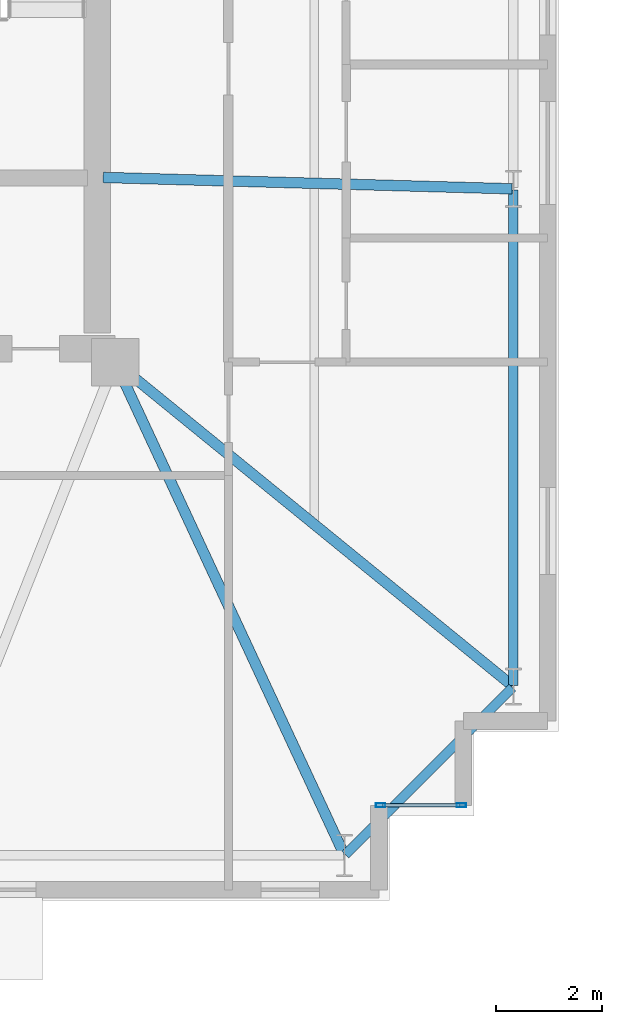
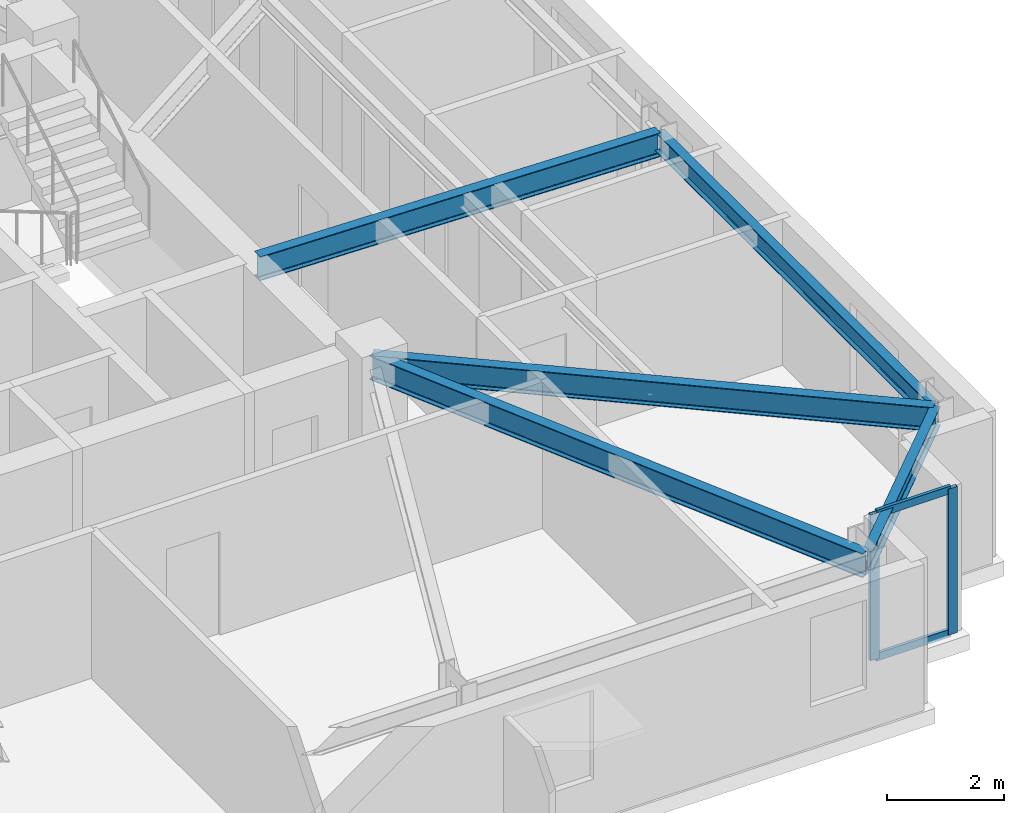
# One storey, part 5 of 18: 5 beams, 4 members, 1 element without a shape of its own.
"""IFC4 building model written with IfcOpenShell, lengths in metres."""

from ifc_helpers import new_model, si_unit, direction, frame, origin, origin_2d, place, context, subcontext, project, spatial, hollow_rectangle, i_section, extrude, material, layer, layer_set, material_profile, profile_set, type_object, element, aggregate, save


model = new_model("IFC4")

# Units and contexts
model_context = context("Model", 3, precision=1e-05, world=origin(), true_north=direction((0.0, 1.0)))
body_context = subcontext(model_context, "Body", "Model", "MODEL_VIEW")
ifc_project = project(units=[si_unit("LENGTHUNIT", "METRE"), si_unit("AREAUNIT", "SQUARE_METRE"), si_unit("VOLUMEUNIT", "CUBIC_METRE"), si_unit("PLANEANGLEUNIT", "RADIAN"), si_unit("MASSUNIT", "GRAM", prefix="KILO")], contexts=[model_context])

# Site, building, storey
site_placement = place(None, origin())
site = spatial("IfcSite", under=ifc_project, at=site_placement, CompositionType="ELEMENT")
building_placement = place(site_placement, origin())
building = spatial("IfcBuilding", under=site, at=building_placement, Name="Qobustan Lattice House", CompositionType="ELEMENT")
storey_placement = place(building_placement, frame((0.0, 0.0, 141.050048828125)))
storey = spatial("IfcBuildingStorey", under=building, at=storey_placement, Name="L39", CompositionType="ELEMENT", Elevation=141.050048828125)

# Beams
ifc_material_1 = material(Name="Steel S355", Category="steel")
ifc_material_profile_1 = material_profile(ifc_material_1, i_section(OverallWidth=0.199951171875, OverallDepth=0.5, WebThickness=0.01025390625, FlangeThickness=0.01611328125, FilletRadius=0.02099609375, at=origin_2d()), Name="IPE500")
ifc_profile_set_1 = profile_set([ifc_material_profile_1], Name="Steel S355")
beam_type_1 = type_object("IfcBeamType", Name="BM-FLG-IPE500", PredefinedType="USERDEFINED", material=ifc_profile_set_1)
beam_1_placement = place(storey_placement, frame((23.139404296875, -14.92724609375, 2.7900390625), z_axis=(-0.421827633168, 0.906676043521, 0.0), x_axis=(-0.906676043521, -0.421827633168, 0.0)))
element("IfcBeam", 1, at=beam_1_placement, inside=storey, type_object=beam_type_1, Name="L39 primary floor girder RAD-S7E", ObjectType="GIRDER", PredefinedType="USERDEFINED", context=body_context, shape_type="SweptSolid", body=[
    extrude(i_section(OverallWidth=0.199951171875, OverallDepth=0.5, WebThickness=0.01025390625, FlangeThickness=0.01611328125, FilletRadius=0.02099609375, at=origin_2d()), origin(), (0.0, 0.0, 1.0), 10.26220703125),
])
beam_2_placement = place(storey_placement, frame((26.324951171875, -2.31591796875, 2.7900390625), z_axis=(-0.999614226396, 0.027774059592, 0.0), x_axis=(-0.027774059592, -0.999614226396, 0.0)))
element("IfcBeam", 2, at=beam_2_placement, inside=storey, type_object=beam_type_1, Name="L39 primary floor girder RAD-E2", ObjectType="GIRDER", PredefinedType="USERDEFINED", context=body_context, shape_type="SweptSolid", body=[
    extrude(i_section(OverallWidth=0.199951171875, OverallDepth=0.5, WebThickness=0.01025390625, FlangeThickness=0.01611328125, FilletRadius=0.02099609375, at=origin_2d()), origin(), (0.0, 0.0, 1.0), 7.7529296875),
])
beam_3_placement = place(storey_placement, frame((26.33056640625, -11.734130859375, 2.7900390625), z_axis=(-0.775328675038, 0.631557951152, 0.0), x_axis=(-0.631557951152, -0.775328675038, 0.0)))
element("IfcBeam", 3, at=beam_3_placement, inside=storey, type_object=beam_type_1, Name="L39 primary floor girder RAD-E1", ObjectType="GIRDER", PredefinedType="USERDEFINED", context=body_context, shape_type="SweptSolid", body=[
    extrude(i_section(OverallWidth=0.199951171875, OverallDepth=0.5, WebThickness=0.01025390625, FlangeThickness=0.01611328125, FilletRadius=0.02099609375, at=origin_2d()), origin(), (0.0, 0.0, 1.0), 9.687744140625),
])
ifc_material_2 = material(Name="Steel S355", Category="steel")
ifc_material_profile_2 = material_profile(ifc_material_2, i_section(OverallWidth=0.179931640625, OverallDepth=0.39990234375, WebThickness=0.008544921875, FlangeThickness=0.013427734375, FilletRadius=0.02099609375, at=origin_2d()), Name="IPE400")
ifc_profile_set_2 = profile_set([ifc_material_profile_2], Name="Steel S355")
beam_type_2 = type_object("IfcBeamType", Name="BM-SPD-IPE400", PredefinedType="SPANDREL", material=ifc_profile_set_2)
beam_4_placement = place(storey_placement, frame((23.167724609375, -14.932373046875, 2.83984375), z_axis=(0.707079505568, 0.707134055753, 0.0), x_axis=(-0.707134055753, 0.707079505568, 0.0)))
element("IfcBeam", 4, at=beam_4_placement, inside=storey, type_object=beam_type_2, Name="L39 perimeter spandrel S7-E1", PredefinedType="SPANDREL", context=body_context, shape_type="SweptSolid", body=[
    extrude(i_section(OverallWidth=0.179931640625, OverallDepth=0.39990234375, WebThickness=0.008544921875, FlangeThickness=0.013427734375, FilletRadius=0.02099609375, at=origin_2d()), origin(), (0.0, 0.0, 1.0), 4.4755859375),
])
beam_5_placement = place(storey_placement, frame((26.35009765625, -11.72509765625, 2.83984375), z_axis=(0.0, 1.0, 0.0), x_axis=(-1.0, 0.0, 0.0)))
element("IfcBeam", 5, at=beam_5_placement, inside=storey, type_object=beam_type_2, Name="L39 perimeter spandrel E1-E2", PredefinedType="SPANDREL", context=body_context, shape_type="SweptSolid", body=[
    extrude(i_section(OverallWidth=0.179931640625, OverallDepth=0.39990234375, WebThickness=0.008544921875, FlangeThickness=0.013427734375, FilletRadius=0.02099609375, at=origin_2d()), origin(), (0.0, 0.0, 1.0), 9.38330078125),
])

# Curtain wall, members
ifc_material_3 = material(Name="Anodised aluminium and low-E glazing", Category="aluminium")
ifc_layer = layer(ifc_material_3, 0.219970703125)
ifc_layer_set = layer_set([ifc_layer], Name="Anodised aluminium and low-E glazing")
curtain_wall_type = type_object("IfcCurtainWallType", Name="CW-FAC-02", PredefinedType="USERDEFINED", material=ifc_layer_set)
curtain_wall_placement = place(storey_placement, origin())
curtain_wall = element("IfcCurtainWall", 6, at=curtain_wall_placement, inside=storey, type_object=curtain_wall_type, Name="L39 serrated corner faceted glazing 18", ObjectType="CURTAIN WALL", PredefinedType="USERDEFINED")
ifc_material_4 = material(Name="Anodised aluminium EN AW-6063 T6", Category="aluminium")
ifc_material_profile_3 = material_profile(ifc_material_4, hollow_rectangle(XDim=0.070068359375, YDim=0.179931640625, WallThickness=0.00439453125, at=origin_2d()), Name="CWM-180x70")
ifc_profile_set_3 = profile_set([ifc_material_profile_3], Name="Anodised aluminium EN AW-6063 T6")
member_type_1 = type_object("IfcMemberType", Name="CWM-STD-180", PredefinedType="MULLION", material=ifc_profile_set_3)
member_1_placement = place(storey_placement, frame((25.364990234375, -14.0, 0.0), z_axis=(0.0, 0.0, 1.0), x_axis=(0.0, -1.0, 0.0)))
member_1 = element("IfcMember", 7, at=member_1_placement, type_object=member_type_1, Name="CW-F2 mullion 1", PredefinedType="MULLION", context=body_context, shape_type="SweptSolid", body=[
    extrude(hollow_rectangle(XDim=0.070068359375, YDim=0.179931640625, WallThickness=0.00439453125, at=origin_2d()), origin(), (0.0, 0.0, 1.0), 3.0400390625),
])
member_2_placement = place(storey_placement, frame((23.8349609375, -14.0, 0.0), z_axis=(0.0, 0.0, 1.0), x_axis=(0.0, -1.0, 0.0)))
member_2 = element("IfcMember", 8, at=member_2_placement, type_object=member_type_1, Name="CW-F2 mullion 2", PredefinedType="MULLION", context=body_context, shape_type="SweptSolid", body=[
    extrude(hollow_rectangle(XDim=0.070068359375, YDim=0.179931640625, WallThickness=0.00439453125, at=origin_2d()), origin(), (0.0, 0.0, 1.0), 3.0400390625),
])
ifc_material_5 = material(Name="Anodised aluminium EN AW-6063 T6", Category="aluminium")
ifc_material_profile_4 = material_profile(ifc_material_5, hollow_rectangle(XDim=0.06494140625, YDim=0.159912109375, WallThickness=0.00390625, at=origin_2d()), Name="CWT-160x65")
ifc_profile_set_4 = profile_set([ifc_material_profile_4], Name="Anodised aluminium EN AW-6063 T6")
member_type_2 = type_object("IfcMemberType", Name="CWT-HOR-160", PredefinedType="USERDEFINED", material=ifc_profile_set_4)
member_3_placement = place(storey_placement, frame((25.330078125, -14.0, 0.032470703125), z_axis=(-1.0, 0.0, 0.0), x_axis=(0.0, -1.0, 0.0)))
member_3 = element("IfcMember", 9, at=member_3_placement, type_object=member_type_2, Name="CW-F2 transom 1.1", ObjectType="TRANSOM", PredefinedType="USERDEFINED", context=body_context, shape_type="SweptSolid", body=[
    extrude(hollow_rectangle(XDim=0.06494140625, YDim=0.159912109375, WallThickness=0.00390625, at=origin_2d()), origin(), (0.0, 0.0, 1.0), 1.4599609375),
])
member_4_placement = place(storey_placement, frame((25.330078125, -14.0, 3.007568359375), z_axis=(-1.0, 0.0, 0.0), x_axis=(0.0, -1.0, 0.0)))
member_4 = element("IfcMember", 10, at=member_4_placement, type_object=member_type_2, Name="CW-F2 transom 1.2", ObjectType="TRANSOM", PredefinedType="USERDEFINED", context=body_context, shape_type="SweptSolid", body=[
    extrude(hollow_rectangle(XDim=0.06494140625, YDim=0.159912109375, WallThickness=0.00390625, at=origin_2d()), origin(), (0.0, 0.0, 1.0), 1.4599609375),
])
aggregate(curtain_wall, [member_1, member_2, member_3, member_4])

save(model, "model.ifc")
